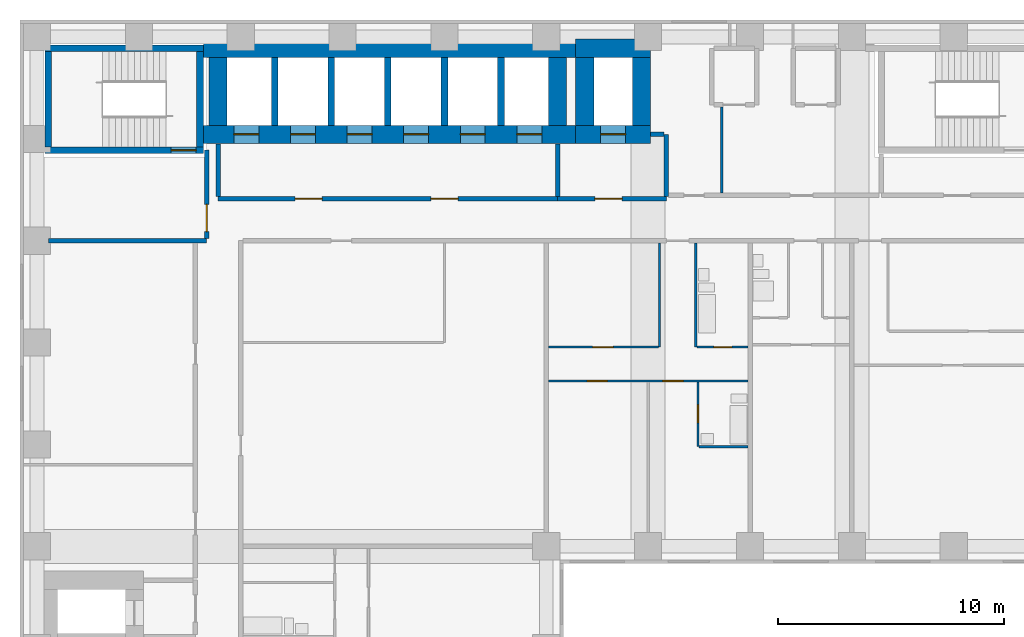
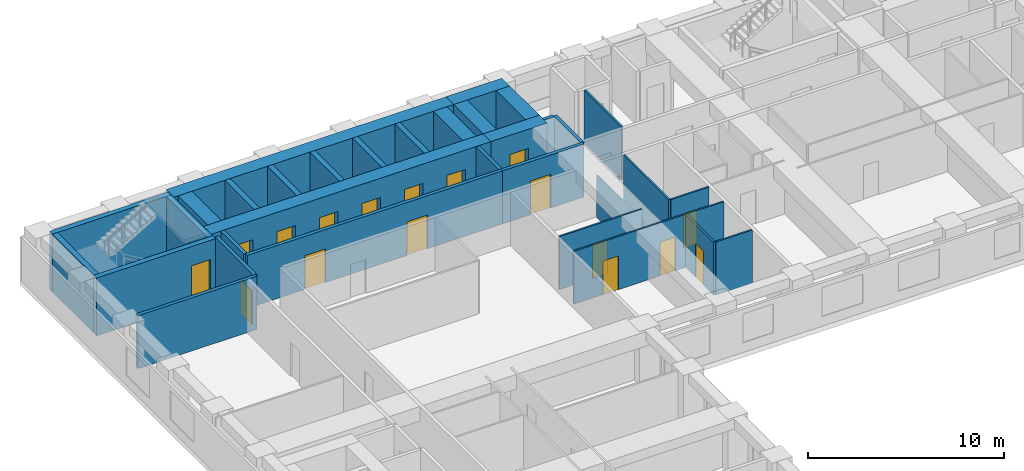
# One storey, part 5 of 11: 33 walls, 17 doors, 17 openings.
"""IFC4 building model written with IfcOpenShell, lengths in metres."""

from ifc_helpers import new_model, si_unit, direction, frame, frame_2d, origin, place, context, subcontext, project, spatial, rectangle, extrude, material, layer, layer_set, type_object, element, fill, save


model = new_model("IFC4")

# Units and contexts
model_context = context("Model", 3, precision=1e-05, world=origin(), true_north=direction((0.0, 1.0)))
body_context = subcontext(model_context, "Body", "Model", "MODEL_VIEW")
ifc_project = project(units=[si_unit("LENGTHUNIT", "METRE"), si_unit("AREAUNIT", "SQUARE_METRE"), si_unit("VOLUMEUNIT", "CUBIC_METRE"), si_unit("PLANEANGLEUNIT", "RADIAN"), si_unit("MASSUNIT", "GRAM", prefix="KILO")], contexts=[model_context])

# Site, building, storey
site_placement = place(None, origin())
site = spatial("IfcSite", under=ifc_project, at=site_placement, CompositionType="ELEMENT")
building_placement = place(site_placement, origin())
building = spatial("IfcBuilding", under=site, at=building_placement, Name="Firuza Court", CompositionType="ELEMENT")
storey_placement = place(building_placement, frame((0.0, 0.0, 79.39990234375)))
storey = spatial("IfcBuildingStorey", under=building, at=storey_placement, Name="L19", CompositionType="ELEMENT", Elevation=79.39990234375)

# Wall, opening, door
ifc_material_1 = material(Name="Moisture-resistant gypsum board partition")
ifc_layer_1 = layer(ifc_material_1, 0.10009765625)
ifc_layer_set_1 = layer_set([ifc_layer_1], Name="Moisture-resistant gypsum board partition")
wall_type_1 = type_object("IfcWallType", Name="Bathroom partition 100", PredefinedType="PLUMBINGWALL", material=ifc_layer_set_1)
wall_1_placement = place(storey_placement, frame((29.199951171875, 40.39990234375, 0.0), z_axis=(0.0, 0.0, 1.0), x_axis=(0.0, 1.0, 0.0)))
wall_1 = element("IfcWall", 1, at=wall_1_placement, inside=storey, type_object=wall_type_1, Name="Bathroom partition 100 L19", PredefinedType="PLUMBINGWALL", context=body_context, shape_type="SweptSolid", body=[
    extrude(rectangle(XDim=2.85009765625, YDim=0.10009765625, at=frame_2d((1.425048828125, 0.0))), origin(), (0.0, 0.0, 1.0), 3.300048828125),
])
opening_1_placement = place(wall_1_placement, frame((1.050048828125, 0.0, 0.0)))
opening_1 = element("IfcOpeningElement", 2, at=opening_1_placement, cuts=wall_1, Name="Opening D19044", PredefinedType="OPENING", context=body_context, shape_type="SweptSolid", body=[
    extrude(rectangle(XDim=0.800048828125, YDim=2.10009765625, at=frame_2d((0.39990234375, 1.050048828125))), frame((0.0, 0.06201171875, 0.0), z_axis=(0.0, -1.0, 0.0), x_axis=(1.0, 0.0, 0.0)), (0.0, 0.0, 1.0), 0.1240234375),
])
ifc_material_2 = material(Name="Timber door leaf in hardwood frame", Category="wood")
door_type_1 = type_object("IfcDoorType", Name="Bathroom door 800", OperationType="SINGLE_SWING_LEFT", PredefinedType="DOOR", material=ifc_material_2)
door_1_placement = place(opening_1_placement, frame((0.800048828125, 0.0, 0.0), z_axis=(0.0, 0.0, 1.0), x_axis=(-1.0, 0.0, 0.0)))
door_1 = element("IfcDoor", 3, at=door_1_placement, inside=storey, type_object=door_type_1, Name="En-suite door", OperationType="SINGLE_SWING_RIGHT", OverallHeight=2.10009765625, OverallWidth=0.800048828125, PredefinedType="DOOR", context=body_context, shape_type="SweptSolid", body=[
    extrude(rectangle(XDim=0.800048828125, YDim=2.10009765625, at=frame_2d((0.39990234375, 1.050048828125))), frame((0.0, 0.02490234375, 0.0), z_axis=(0.0, -1.0, 0.0), x_axis=(1.0, 0.0, 0.0)), (0.0, 0.0, 1.0), 0.050048828125),
])
fill(opening_1, door_1)

# Walls
wall_2_placement = place(storey_placement, frame((29.25, 40.39990234375, 0.0), z_axis=(0.0, 0.0, 1.0), x_axis=(1.0, 0.0, 0.0)))
element("IfcWall", 4, at=wall_2_placement, inside=storey, type_object=wall_type_1, Name="Bathroom partition 100 L19", PredefinedType="PLUMBINGWALL", context=body_context, shape_type="SweptSolid", body=[
    extrude(rectangle(XDim=2.14990234375, YDim=0.10009765625, at=frame_2d((1.074951171875, 0.0))), origin(), (0.0, 0.0, 1.0), 3.300048828125),
])
wall_3_placement = place(storey_placement, frame((29.10009765625, 44.800048828125, 0.0), z_axis=(0.0, 0.0, 1.0), x_axis=(0.0, 1.0, 0.0)))
element("IfcWall", 5, at=wall_3_placement, inside=storey, type_object=wall_type_1, Name="Bathroom partition 100 L19", PredefinedType="PLUMBINGWALL", context=body_context, shape_type="SweptSolid", body=[
    extrude(rectangle(XDim=4.599853515625, YDim=0.10009765625, at=frame_2d((2.2998046875, 0.0))), origin(), (0.0, 0.0, 1.0), 3.300048828125),
])

# Wall, opening, door
ifc_material_3 = material(Name="Concrete C60/75", Category="concrete")
ifc_layer_2 = layer(ifc_material_3, 0.300048828125)
ifc_layer_set_2 = layer_set([ifc_layer_2], Name="Concrete C60/75")
wall_type_2 = type_object("IfcWallType", Name="Core wall 300 C60/75", PredefinedType="SHEAR", material=ifc_layer_set_2)
wall_4_placement = place(storey_placement, frame((0.35009765625, 53.5, -0.2998046875), z_axis=(0.0, 0.0, 1.0), x_axis=(1.0, 0.0, 0.0)))
wall_4 = element("IfcWall", 6, at=wall_4_placement, inside=storey, type_object=wall_type_2, Name="Core wall stair L19", PredefinedType="SHEAR", context=body_context, shape_type="SweptSolid", body=[
    extrude(rectangle(XDim=7.0, YDim=0.300048828125, at=frame_2d((3.5, 0.0))), origin(), (0.0, 0.0, 1.0), 3.599853515625),
])
opening_2_placement = place(wall_4_placement, frame((5.580078125, 0.0, 0.300048828125)))
opening_2 = element("IfcOpeningElement", 7, at=opening_2_placement, cuts=wall_4, Name="Opening D19016", PredefinedType="OPENING", context=body_context, shape_type="SweptSolid", body=[
    extrude(rectangle(XDim=1.10009765625, YDim=2.10009765625, at=frame_2d((0.550048828125, 1.050048828125))), frame((0.0, 0.162109375, 0.0), z_axis=(0.0, -1.0, 0.0), x_axis=(1.0, 0.0, 0.0)), (0.0, 0.0, 1.0), 0.323974609375),
])
ifc_material_4 = material(Name="Timber door leaf in hardwood frame", Category="wood")
door_type_2 = type_object("IfcDoorType", Name="Stair door 1100", OperationType="SINGLE_SWING_LEFT", PredefinedType="DOOR", material=ifc_material_4)
door_2_placement = place(opening_2_placement, origin())
door_2 = element("IfcDoor", 8, at=door_2_placement, inside=storey, type_object=door_type_2, Name="Stair door S3", OperationType="SINGLE_SWING_RIGHT", OverallHeight=2.10009765625, OverallWidth=1.10009765625, PredefinedType="DOOR", context=body_context, shape_type="SweptSolid", body=[
    extrude(rectangle(XDim=1.10009765625, YDim=2.10009765625, at=frame_2d((0.550048828125, 1.050048828125))), frame((0.0, 0.02490234375, 0.0), z_axis=(0.0, -1.0, 0.0), x_axis=(1.0, 0.0, 0.0)), (0.0, 0.0, 1.0), 0.050048828125),
])
fill(opening_2, door_2)

# Walls
wall_5_placement = place(storey_placement, frame((0.35009765625, 58.0, -0.2998046875), z_axis=(0.0, 0.0, 1.0), x_axis=(1.0, 0.0, 0.0)))
element("IfcWall", 9, at=wall_5_placement, inside=storey, type_object=wall_type_2, Name="Core wall stair L19", PredefinedType="SHEAR", context=body_context, shape_type="SweptSolid", body=[
    extrude(rectangle(XDim=7.0, YDim=0.300048828125, at=frame_2d((3.5, 0.0))), origin(), (0.0, 0.0, 1.0), 3.599853515625),
])
for number, where, z_axis, x_axis, name in (
    (10, (0.5, 53.64990234375, -0.2998046875), (0.0, 0.0, 1.0), (0.0, 1.0, 0.0), "Core wall stair L19"),
    (11, (7.199951171875, 53.64990234375, -0.2998046875), (0.0, 0.0, 1.0), (0.0, 1.0, 0.0), "Core wall stair L19"),
):
    element("IfcWall", number, at=place(storey_placement, frame(where, z_axis=z_axis, x_axis=x_axis)), inside=storey, type_object=wall_type_2, Name=name, PredefinedType="SHEAR", context=body_context, shape_type="SweptSolid", body=[
        extrude(rectangle(XDim=4.2001953125, YDim=0.300048828125, at=frame_2d((2.10009765625, 0.0))), origin(), (0.0, 0.0, 1.0), 3.599853515625),
    ])
for number, where, z_axis, x_axis, name in (
    (12, (10.5, 54.60009765625, -0.2998046875), (0.0, 0.0, 1.0), (0.0, 1.0, 0.0), "Core wall lift shaft L19"),
    (13, (13.0, 54.60009765625, -0.2998046875), (0.0, 0.0, 1.0), (0.0, 1.0, 0.0), "Core wall lift shaft L19"),
    (14, (15.5, 54.60009765625, -0.2998046875), (0.0, 0.0, 1.0), (0.0, 1.0, 0.0), "Core wall lift shaft L19"),
    (15, (18.0, 54.60009765625, -0.2998046875), (0.0, 0.0, 1.0), (0.0, 1.0, 0.0), "Core wall lift shaft L19"),
    (16, (20.5, 54.60009765625, -0.2998046875), (0.0, 0.0, 1.0), (0.0, 1.0, 0.0), "Core wall lift shaft L19"),
):
    element("IfcWall", number, at=place(storey_placement, frame(where, z_axis=z_axis, x_axis=x_axis)), inside=storey, type_object=wall_type_2, Name=name, PredefinedType="SHEAR", context=body_context, shape_type="SweptSolid", body=[
        extrude(rectangle(XDim=3.0, YDim=0.300048828125, at=frame_2d((1.5, 0.0))), origin(), (0.0, 0.0, 1.0), 3.599853515625),
    ])

# Wall, openings, doors
ifc_layer_3 = layer(ifc_material_3, 0.800048828125)
ifc_layer_set_3 = layer_set([ifc_layer_3], Name="Concrete C60/75")
wall_type_3 = type_object("IfcWallType", Name="Core wall 800 C60/75", PredefinedType="SHEAR", material=ifc_layer_set_3)
wall_6_placement = place(storey_placement, frame((7.35009765625, 54.199951171875, -0.2998046875), z_axis=(0.0, 0.0, 1.0), x_axis=(1.0, 0.0, 0.0)))
wall_6 = element("IfcWall", 17, at=wall_6_placement, inside=storey, type_object=wall_type_3, Name="Core wall lift shaft L19", PredefinedType="SHEAR", context=body_context, shape_type="SweptSolid", body=[
    extrude(rectangle(XDim=16.449951171875, YDim=0.800048828125, at=frame_2d((8.22509765625, 0.0))), origin(), (0.0, 0.0, 1.0), 3.599853515625),
])
opening_3_placement = place(wall_6_placement, frame((1.35009765625, 0.0, 0.300048828125)))
opening_3 = element("IfcOpeningElement", 18, at=opening_3_placement, cuts=wall_6, Name="Opening LD-LB1-19", PredefinedType="OPENING", context=body_context, shape_type="SweptSolid", body=[
    extrude(rectangle(XDim=1.10009765625, YDim=2.10009765625, at=frame_2d((0.550048828125, 1.050048828125))), frame((0.0, 0.412109375, 0.0), z_axis=(0.0, -1.0, 0.0), x_axis=(1.0, 0.0, 0.0)), (0.0, 0.0, 1.0), 0.823974609375),
])
opening_4_placement = place(wall_6_placement, frame((3.85009765625, 0.0, 0.300048828125)))
opening_4 = element("IfcOpeningElement", 19, at=opening_4_placement, cuts=wall_6, Name="Opening LD-LB2-19", PredefinedType="OPENING", context=body_context, shape_type="SweptSolid", body=[
    extrude(rectangle(XDim=1.10009765625, YDim=2.10009765625, at=frame_2d((0.550048828125, 1.050048828125))), frame((0.0, 0.412109375, 0.0), z_axis=(0.0, -1.0, 0.0), x_axis=(1.0, 0.0, 0.0)), (0.0, 0.0, 1.0), 0.823974609375),
])
opening_5_placement = place(wall_6_placement, frame((6.35009765625, 0.0, 0.300048828125)))
opening_5 = element("IfcOpeningElement", 20, at=opening_5_placement, cuts=wall_6, Name="Opening LD-LB3-19", PredefinedType="OPENING", context=body_context, shape_type="SweptSolid", body=[
    extrude(rectangle(XDim=1.10009765625, YDim=2.10009765625, at=frame_2d((0.550048828125, 1.050048828125))), frame((0.0, 0.412109375, 0.0), z_axis=(0.0, -1.0, 0.0), x_axis=(1.0, 0.0, 0.0)), (0.0, 0.0, 1.0), 0.823974609375),
])
opening_6_placement = place(wall_6_placement, frame((8.85009765625, 0.0, 0.300048828125)))
opening_6 = element("IfcOpeningElement", 21, at=opening_6_placement, cuts=wall_6, Name="Opening LD-LB4-19", PredefinedType="OPENING", context=body_context, shape_type="SweptSolid", body=[
    extrude(rectangle(XDim=1.10009765625, YDim=2.10009765625, at=frame_2d((0.550048828125, 1.050048828125))), frame((0.0, 0.412109375, 0.0), z_axis=(0.0, -1.0, 0.0), x_axis=(1.0, 0.0, 0.0)), (0.0, 0.0, 1.0), 0.823974609375),
])
opening_7_placement = place(wall_6_placement, frame((11.35009765625, 0.0, 0.300048828125)))
opening_7 = element("IfcOpeningElement", 22, at=opening_7_placement, cuts=wall_6, Name="Opening LD-LB5-19", PredefinedType="OPENING", context=body_context, shape_type="SweptSolid", body=[
    extrude(rectangle(XDim=1.10009765625, YDim=2.10009765625, at=frame_2d((0.550048828125, 1.050048828125))), frame((0.0, 0.412109375, 0.0), z_axis=(0.0, -1.0, 0.0), x_axis=(1.0, 0.0, 0.0)), (0.0, 0.0, 1.0), 0.823974609375),
])
opening_8_placement = place(wall_6_placement, frame((13.85009765625, 0.0, 0.300048828125)))
opening_8 = element("IfcOpeningElement", 23, at=opening_8_placement, cuts=wall_6, Name="Opening LD-LB6-19", PredefinedType="OPENING", context=body_context, shape_type="SweptSolid", body=[
    extrude(rectangle(XDim=1.10009765625, YDim=2.10009765625, at=frame_2d((0.550048828125, 1.050048828125))), frame((0.0, 0.412109375, 0.0), z_axis=(0.0, -1.0, 0.0), x_axis=(1.0, 0.0, 0.0)), (0.0, 0.0, 1.0), 0.823974609375),
])
ifc_material_5 = material(Name="Stainless steel 1.4301 door leaf", Category="steel")
door_type_3 = type_object("IfcDoorType", Name="Lift landing door 1100", OperationType="SLIDING_TO_LEFT", PredefinedType="DOOR", material=ifc_material_5)
door_3_placement = place(opening_3_placement, origin())
door_3 = element("IfcDoor", 24, at=door_3_placement, inside=storey, type_object=door_type_3, Name="Landing door LB1", OperationType="SLIDING_TO_LEFT", OverallHeight=2.10009765625, OverallWidth=1.10009765625, PredefinedType="DOOR", context=body_context, shape_type="SweptSolid", body=[
    extrude(rectangle(XDim=1.10009765625, YDim=2.10009765625, at=frame_2d((0.550048828125, 1.050048828125))), frame((0.0, 0.02490234375, 0.0), z_axis=(0.0, -1.0, 0.0), x_axis=(1.0, 0.0, 0.0)), (0.0, 0.0, 1.0), 0.050048828125),
])
fill(opening_3, door_3)
door_4_placement = place(opening_4_placement, origin())
door_4 = element("IfcDoor", 25, at=door_4_placement, inside=storey, type_object=door_type_3, Name="Landing door LB2", OperationType="SLIDING_TO_LEFT", OverallHeight=2.10009765625, OverallWidth=1.10009765625, PredefinedType="DOOR", context=body_context, shape_type="SweptSolid", body=[
    extrude(rectangle(XDim=1.10009765625, YDim=2.10009765625, at=frame_2d((0.550048828125, 1.050048828125))), frame((0.0, 0.02490234375, 0.0), z_axis=(0.0, -1.0, 0.0), x_axis=(1.0, 0.0, 0.0)), (0.0, 0.0, 1.0), 0.050048828125),
])
fill(opening_4, door_4)
door_5_placement = place(opening_5_placement, origin())
door_5 = element("IfcDoor", 26, at=door_5_placement, inside=storey, type_object=door_type_3, Name="Landing door LB3", OperationType="SLIDING_TO_LEFT", OverallHeight=2.10009765625, OverallWidth=1.10009765625, PredefinedType="DOOR", context=body_context, shape_type="SweptSolid", body=[
    extrude(rectangle(XDim=1.10009765625, YDim=2.10009765625, at=frame_2d((0.550048828125, 1.050048828125))), frame((0.0, 0.02490234375, 0.0), z_axis=(0.0, -1.0, 0.0), x_axis=(1.0, 0.0, 0.0)), (0.0, 0.0, 1.0), 0.050048828125),
])
fill(opening_5, door_5)
door_6_placement = place(opening_6_placement, origin())
door_6 = element("IfcDoor", 27, at=door_6_placement, inside=storey, type_object=door_type_3, Name="Landing door LB4", OperationType="SLIDING_TO_LEFT", OverallHeight=2.10009765625, OverallWidth=1.10009765625, PredefinedType="DOOR", context=body_context, shape_type="SweptSolid", body=[
    extrude(rectangle(XDim=1.10009765625, YDim=2.10009765625, at=frame_2d((0.550048828125, 1.050048828125))), frame((0.0, 0.02490234375, 0.0), z_axis=(0.0, -1.0, 0.0), x_axis=(1.0, 0.0, 0.0)), (0.0, 0.0, 1.0), 0.050048828125),
])
fill(opening_6, door_6)
door_7_placement = place(opening_7_placement, origin())
door_7 = element("IfcDoor", 28, at=door_7_placement, inside=storey, type_object=door_type_3, Name="Landing door LB5", OperationType="SLIDING_TO_LEFT", OverallHeight=2.10009765625, OverallWidth=1.10009765625, PredefinedType="DOOR", context=body_context, shape_type="SweptSolid", body=[
    extrude(rectangle(XDim=1.10009765625, YDim=2.10009765625, at=frame_2d((0.550048828125, 1.050048828125))), frame((0.0, 0.02490234375, 0.0), z_axis=(0.0, -1.0, 0.0), x_axis=(1.0, 0.0, 0.0)), (0.0, 0.0, 1.0), 0.050048828125),
])
fill(opening_7, door_7)
door_8_placement = place(opening_8_placement, origin())
door_8 = element("IfcDoor", 29, at=door_8_placement, inside=storey, type_object=door_type_3, Name="Landing door LB6", OperationType="SLIDING_TO_LEFT", OverallHeight=2.10009765625, OverallWidth=1.10009765625, PredefinedType="DOOR", context=body_context, shape_type="SweptSolid", body=[
    extrude(rectangle(XDim=1.10009765625, YDim=2.10009765625, at=frame_2d((0.550048828125, 1.050048828125))), frame((0.0, 0.02490234375, 0.0), z_axis=(0.0, -1.0, 0.0), x_axis=(1.0, 0.0, 0.0)), (0.0, 0.0, 1.0), 0.050048828125),
])
fill(opening_8, door_8)

# Walls
wall_7_placement = place(storey_placement, frame((7.35009765625, 58.0, -0.2998046875), z_axis=(0.0, 0.0, 1.0), x_axis=(1.0, 0.0, 0.0)))
element("IfcWall", 30, at=wall_7_placement, inside=storey, type_object=wall_type_3, Name="Core wall lift shaft L19", PredefinedType="SHEAR", context=body_context, shape_type="SweptSolid", body=[
    extrude(rectangle(XDim=16.449951171875, YDim=0.800048828125, at=frame_2d((8.22509765625, 0.0))), origin(), (0.0, 0.0, 1.0), 3.599853515625),
])
for number, where, z_axis, x_axis, name in (
    (31, (8.0, 54.60009765625, -0.2998046875), (0.0, 0.0, 1.0), (0.0, 1.0, 0.0), "Core wall lift shaft L19"),
    (32, (23.0, 54.60009765625, -0.2998046875), (0.0, 0.0, 1.0), (0.0, 1.0, 0.0), "Core wall lift shaft L19"),
):
    element("IfcWall", number, at=place(storey_placement, frame(where, z_axis=z_axis, x_axis=x_axis)), inside=storey, type_object=wall_type_3, Name=name, PredefinedType="SHEAR", context=body_context, shape_type="SweptSolid", body=[
        extrude(rectangle(XDim=3.0, YDim=0.800048828125, at=frame_2d((1.5, 0.0))), origin(), (0.0, 0.0, 1.0), 3.599853515625),
    ])

# Wall, opening, door
wall_8_placement = place(storey_placement, frame((23.800048828125, 54.199951171875, -0.2998046875), z_axis=(0.0, 0.0, 1.0), x_axis=(1.0, 0.0, 0.0)))
wall_8 = element("IfcWall", 33, at=wall_8_placement, inside=storey, type_object=wall_type_3, Name="Core wall lift shaft L19", PredefinedType="SHEAR", context=body_context, shape_type="SweptSolid", body=[
    extrude(rectangle(XDim=3.300048828125, YDim=0.800048828125, at=frame_2d((1.64990234375, 0.0))), origin(), (0.0, 0.0, 1.0), 3.599853515625),
])
opening_9_placement = place(wall_8_placement, frame((1.10009765625, 0.0, 0.300048828125)))
opening_9 = element("IfcOpeningElement", 34, at=opening_9_placement, cuts=wall_8, Name="Opening LD-FL3-19", PredefinedType="OPENING", context=body_context, shape_type="SweptSolid", body=[
    extrude(rectangle(XDim=1.10009765625, YDim=2.10009765625, at=frame_2d((0.550048828125, 1.050048828125))), frame((0.0, 0.412109375, 0.0), z_axis=(0.0, -1.0, 0.0), x_axis=(1.0, 0.0, 0.0)), (0.0, 0.0, 1.0), 0.823974609375),
])
door_9_placement = place(opening_9_placement, origin())
door_9 = element("IfcDoor", 35, at=door_9_placement, inside=storey, type_object=door_type_3, Name="Landing door FL3", OperationType="SLIDING_TO_LEFT", OverallHeight=2.10009765625, OverallWidth=1.10009765625, PredefinedType="DOOR", context=body_context, shape_type="SweptSolid", body=[
    extrude(rectangle(XDim=1.10009765625, YDim=2.10009765625, at=frame_2d((0.550048828125, 1.050048828125))), frame((0.0, 0.02490234375, 0.0), z_axis=(0.0, -1.0, 0.0), x_axis=(1.0, 0.0, 0.0)), (0.0, 0.0, 1.0), 0.050048828125),
])
fill(opening_9, door_9)

# Walls
wall_9_placement = place(storey_placement, frame((23.800048828125, 58.0, -0.2998046875), z_axis=(0.0, 0.0, 1.0), x_axis=(1.0, 0.0, 0.0)))
element("IfcWall", 36, at=wall_9_placement, inside=storey, type_object=wall_type_3, Name="Core wall lift shaft L19", PredefinedType="SHEAR", context=body_context, shape_type="SweptSolid", body=[
    extrude(rectangle(XDim=3.300048828125, YDim=0.800048828125, at=frame_2d((1.64990234375, 0.0))), origin(), (0.0, 0.0, 1.0), 3.599853515625),
])
for number, where, z_axis, x_axis, name in (
    (37, (24.199951171875, 54.60009765625, -0.2998046875), (0.0, 0.0, 1.0), (0.0, 1.0, 0.0), "Core wall lift shaft L19"),
    (38, (26.699951171875, 54.60009765625, -0.2998046875), (0.0, 0.0, 1.0), (0.0, 1.0, 0.0), "Core wall lift shaft L19"),
):
    element("IfcWall", number, at=place(storey_placement, frame(where, z_axis=z_axis, x_axis=x_axis)), inside=storey, type_object=wall_type_3, Name=name, PredefinedType="SHEAR", context=body_context, shape_type="SweptSolid", body=[
        extrude(rectangle(XDim=3.0, YDim=0.800048828125, at=frame_2d((1.5, 0.0))), origin(), (0.0, 0.0, 1.0), 3.599853515625),
    ])

# Wall, openings, doors
ifc_material_6 = material(Name="Timber stud partition, plasterboard both sides", Category="wood")
ifc_layer_4 = layer(ifc_material_6, 0.10009765625)
ifc_layer_set_4 = layer_set([ifc_layer_4], Name="Timber stud partition, plasterboard both sides")
wall_type_4 = type_object("IfcWallType", Name="Partition wall 100", PredefinedType="PARTITIONING", material=ifc_layer_set_4)
wall_10_placement = place(storey_placement, frame((22.60009765625, 43.300048828125, 0.0), z_axis=(0.0, 0.0, 1.0), x_axis=(1.0, 0.0, 0.0)))
wall_10 = element("IfcWall", 39, at=wall_10_placement, inside=storey, type_object=wall_type_4, Name="Partition wall 100 L19", PredefinedType="PARTITIONING", context=body_context, shape_type="SweptSolid", body=[
    extrude(rectangle(XDim=8.7998046875, YDim=0.10009765625, at=frame_2d((4.39990234375, 0.0))), origin(), (0.0, 0.0, 1.0), 3.300048828125),
])
opening_10_placement = place(wall_10_placement, frame((1.699951171875, 0.0, 0.0)))
opening_10 = element("IfcOpeningElement", 40, at=opening_10_placement, cuts=wall_10, Name="Opening D19049", PredefinedType="OPENING", context=body_context, shape_type="SweptSolid", body=[
    extrude(rectangle(XDim=0.89990234375, YDim=2.10009765625, at=frame_2d((0.449951171875, 1.050048828125))), frame((0.0, 0.06201171875, 0.0), z_axis=(0.0, -1.0, 0.0), x_axis=(1.0, 0.0, 0.0)), (0.0, 0.0, 1.0), 0.1240234375),
])
opening_11_placement = place(wall_10_placement, frame((5.050048828125, 0.0, 0.0)))
opening_11 = element("IfcOpeningElement", 41, at=opening_11_placement, cuts=wall_10, Name="Opening D19050", PredefinedType="OPENING", context=body_context, shape_type="SweptSolid", body=[
    extrude(rectangle(XDim=0.89990234375, YDim=2.10009765625, at=frame_2d((0.449951171875, 1.050048828125))), frame((0.0, 0.06201171875, 0.0), z_axis=(0.0, -1.0, 0.0), x_axis=(1.0, 0.0, 0.0)), (0.0, 0.0, 1.0), 0.1240234375),
])
ifc_material_7 = material(Name="Timber door leaf in hardwood frame", Category="wood")
door_type_4 = type_object("IfcDoorType", Name="Room door 900", OperationType="SINGLE_SWING_LEFT", PredefinedType="DOOR", material=ifc_material_7)
door_10_placement = place(opening_10_placement, frame((0.89990234375, 0.0, 0.0), z_axis=(0.0, 0.0, 1.0), x_axis=(-1.0, 0.0, 0.0)))
door_10 = element("IfcDoor", 42, at=door_10_placement, inside=storey, type_object=door_type_4, Name="Living room door", OperationType="SINGLE_SWING_RIGHT", OverallHeight=2.10009765625, OverallWidth=0.89990234375, PredefinedType="DOOR", context=body_context, shape_type="SweptSolid", body=[
    extrude(rectangle(XDim=0.89990234375, YDim=2.10009765625, at=frame_2d((0.449951171875, 1.050048828125))), frame((0.0, 0.02490234375, 0.0), z_axis=(0.0, -1.0, 0.0), x_axis=(1.0, 0.0, 0.0)), (0.0, 0.0, 1.0), 0.050048828125),
])
fill(opening_10, door_10)
door_11_placement = place(opening_11_placement, frame((0.89990234375, 0.0, 0.0), z_axis=(0.0, 0.0, 1.0), x_axis=(-1.0, 0.0, 0.0)))
door_11 = element("IfcDoor", 43, at=door_11_placement, inside=storey, type_object=door_type_4, Name="Bedroom door", OperationType="SINGLE_SWING_RIGHT", OverallHeight=2.10009765625, OverallWidth=0.89990234375, PredefinedType="DOOR", context=body_context, shape_type="SweptSolid", body=[
    extrude(rectangle(XDim=0.89990234375, YDim=2.10009765625, at=frame_2d((0.449951171875, 1.050048828125))), frame((0.0, 0.02490234375, 0.0), z_axis=(0.0, -1.0, 0.0), x_axis=(1.0, 0.0, 0.0)), (0.0, 0.0, 1.0), 0.050048828125),
])
fill(opening_11, door_11)

# Wall, opening, door
wall_11_placement = place(storey_placement, frame((22.60009765625, 44.800048828125, 0.0), z_axis=(0.0, 0.0, 1.0), x_axis=(1.0, 0.0, 0.0)))
wall_11 = element("IfcWall", 44, at=wall_11_placement, inside=storey, type_object=wall_type_4, Name="Partition wall 100 L19", PredefinedType="PARTITIONING", context=body_context, shape_type="SweptSolid", body=[
    extrude(rectangle(XDim=4.849853515625, YDim=0.10009765625, at=frame_2d((2.4248046875, 0.0))), origin(), (0.0, 0.0, 1.0), 3.300048828125),
])
opening_12_placement = place(wall_11_placement, frame((1.949951171875, 0.0, 0.0)))
opening_12 = element("IfcOpeningElement", 45, at=opening_12_placement, cuts=wall_11, Name="Opening D19058", PredefinedType="OPENING", context=body_context, shape_type="SweptSolid", body=[
    extrude(rectangle(XDim=0.89990234375, YDim=2.10009765625, at=frame_2d((0.449951171875, 1.050048828125))), frame((0.0, 0.06201171875, 0.0), z_axis=(0.0, -1.0, 0.0), x_axis=(1.0, 0.0, 0.0)), (0.0, 0.0, 1.0), 0.1240234375),
])
door_12_placement = place(opening_12_placement, origin())
door_12 = element("IfcDoor", 46, at=door_12_placement, inside=storey, type_object=door_type_4, Name="Kitchen door", OperationType="SINGLE_SWING_LEFT", OverallHeight=2.10009765625, OverallWidth=0.89990234375, PredefinedType="DOOR", context=body_context, shape_type="SweptSolid", body=[
    extrude(rectangle(XDim=0.89990234375, YDim=2.10009765625, at=frame_2d((0.449951171875, 1.050048828125))), frame((0.0, 0.02490234375, 0.0), z_axis=(0.0, -1.0, 0.0), x_axis=(1.0, 0.0, 0.0)), (0.0, 0.0, 1.0), 0.050048828125),
])
fill(opening_12, door_12)

# Wall
wall_12_placement = place(storey_placement, frame((27.5, 44.800048828125, 0.0), z_axis=(0.0, 0.0, 1.0), x_axis=(0.0, 1.0, 0.0)))
element("IfcWall", 47, at=wall_12_placement, inside=storey, type_object=wall_type_4, Name="Partition wall 100 L19", PredefinedType="PARTITIONING", context=body_context, shape_type="SweptSolid", body=[
    extrude(rectangle(XDim=4.599853515625, YDim=0.10009765625, at=frame_2d((2.2998046875, 0.0))), origin(), (0.0, 0.0, 1.0), 2.60009765625),
])

# Wall, opening, door
wall_13_placement = place(storey_placement, frame((29.14990234375, 44.800048828125, 0.0), z_axis=(0.0, 0.0, 1.0), x_axis=(1.0, 0.0, 0.0)))
wall_13 = element("IfcWall", 48, at=wall_13_placement, inside=storey, type_object=wall_type_4, Name="Partition wall 100 L19", PredefinedType="PARTITIONING", context=body_context, shape_type="SweptSolid", body=[
    extrude(rectangle(XDim=2.25, YDim=0.10009765625, at=frame_2d((1.125, 0.0))), origin(), (0.0, 0.0, 1.0), 3.300048828125),
])
opening_13_placement = place(wall_13_placement, frame((0.75, 0.0, 0.0)))
opening_13 = element("IfcOpeningElement", 49, at=opening_13_placement, cuts=wall_13, Name="Opening D19059", PredefinedType="OPENING", context=body_context, shape_type="SweptSolid", body=[
    extrude(rectangle(XDim=0.800048828125, YDim=2.10009765625, at=frame_2d((0.39990234375, 1.050048828125))), frame((0.0, 0.06201171875, 0.0), z_axis=(0.0, -1.0, 0.0), x_axis=(1.0, 0.0, 0.0)), (0.0, 0.0, 1.0), 0.1240234375),
])
door_13_placement = place(opening_13_placement, origin())
door_13 = element("IfcDoor", 50, at=door_13_placement, inside=storey, type_object=door_type_1, Name="Bathroom door", OperationType="SINGLE_SWING_LEFT", OverallHeight=2.10009765625, OverallWidth=0.800048828125, PredefinedType="DOOR", context=body_context, shape_type="SweptSolid", body=[
    extrude(rectangle(XDim=0.800048828125, YDim=2.10009765625, at=frame_2d((0.39990234375, 1.050048828125))), frame((0.0, 0.02490234375, 0.0), z_axis=(0.0, -1.0, 0.0), x_axis=(1.0, 0.0, 0.0)), (0.0, 0.0, 1.0), 0.050048828125),
])
fill(opening_13, door_13)

# Wall
wall_14_placement = place(storey_placement, frame((30.25, 51.60009765625, 0.0), z_axis=(0.0, 0.0, 1.0), x_axis=(0.0, 1.0, 0.0)))
element("IfcWall", 51, at=wall_14_placement, inside=storey, type_object=wall_type_4, Name="Partition wall 100 L19", PredefinedType="PARTITIONING", context=body_context, shape_type="SweptSolid", body=[
    extrude(rectangle(XDim=3.7998046875, YDim=0.10009765625, at=frame_2d((1.89990234375, 0.0))), origin(), (0.0, 0.0, 1.0), 3.300048828125),
])

# Wall, openings, doors
ifc_material_8 = material(Name="Blockwork, fire-rated", Category="masonry")
ifc_layer_5 = layer(ifc_material_8, 0.199951171875)
ifc_layer_set_5 = layer_set([ifc_layer_5], Name="Blockwork, fire-rated")
wall_type_5 = type_object("IfcWallType", Name="Shaft wall 200", PredefinedType="PARTITIONING", material=ifc_layer_set_5)
wall_15_placement = place(storey_placement, frame((8.0, 51.35009765625, 0.0), z_axis=(0.0, 0.0, 1.0), x_axis=(1.0, 0.0, 0.0)))
wall_15 = element("IfcWall", 52, at=wall_15_placement, inside=storey, type_object=wall_type_5, Name="Shaft wall 200 L19", PredefinedType="PARTITIONING", context=body_context, shape_type="SweptSolid", body=[
    extrude(rectangle(XDim=15.0, YDim=0.199951171875, at=frame_2d((7.5, 0.0))), origin(), (0.0, 0.0, 1.0), 3.300048828125),
])
opening_14_placement = place(wall_15_placement, frame((3.39990234375, 0.0, 0.0)))
opening_14 = element("IfcOpeningElement", 53, at=opening_14_placement, cuts=wall_15, Name="Opening D19004", PredefinedType="OPENING", context=body_context, shape_type="SweptSolid", body=[
    extrude(rectangle(XDim=1.199951171875, YDim=2.10009765625, at=frame_2d((0.60009765625, 1.050048828125))), frame((0.0, 0.11181640625, 0.0), z_axis=(0.0, -1.0, 0.0), x_axis=(1.0, 0.0, 0.0)), (0.0, 0.0, 1.0), 0.223876953125),
])
opening_15_placement = place(wall_15_placement, frame((9.39990234375, 0.0, 0.0)))
opening_15 = element("IfcOpeningElement", 54, at=opening_15_placement, cuts=wall_15, Name="Opening D19005", PredefinedType="OPENING", context=body_context, shape_type="SweptSolid", body=[
    extrude(rectangle(XDim=1.199951171875, YDim=2.10009765625, at=frame_2d((0.60009765625, 1.050048828125))), frame((0.0, 0.11181640625, 0.0), z_axis=(0.0, -1.0, 0.0), x_axis=(1.0, 0.0, 0.0)), (0.0, 0.0, 1.0), 0.223876953125),
])
ifc_material_9 = material(Name="Timber door leaf in hardwood frame", Category="wood")
door_type_5 = type_object("IfcDoorType", Name="Lobby door 1200", OperationType="SINGLE_SWING_LEFT", PredefinedType="DOOR", material=ifc_material_9)
door_14_placement = place(opening_14_placement, origin())
door_14 = element("IfcDoor", 55, at=door_14_placement, inside=storey, type_object=door_type_5, Name="Lobby door", OperationType="SINGLE_SWING_LEFT", OverallHeight=2.10009765625, OverallWidth=1.199951171875, PredefinedType="DOOR", context=body_context, shape_type="SweptSolid", body=[
    extrude(rectangle(XDim=1.199951171875, YDim=2.10009765625, at=frame_2d((0.60009765625, 1.050048828125))), frame((0.0, 0.02490234375, 0.0), z_axis=(0.0, -1.0, 0.0), x_axis=(1.0, 0.0, 0.0)), (0.0, 0.0, 1.0), 0.050048828125),
])
fill(opening_14, door_14)
door_15_placement = place(opening_15_placement, origin())
door_15 = element("IfcDoor", 56, at=door_15_placement, inside=storey, type_object=door_type_5, Name="Lobby door", OperationType="SINGLE_SWING_RIGHT", OverallHeight=2.10009765625, OverallWidth=1.199951171875, PredefinedType="DOOR", context=body_context, shape_type="SweptSolid", body=[
    extrude(rectangle(XDim=1.199951171875, YDim=2.10009765625, at=frame_2d((0.60009765625, 1.050048828125))), frame((0.0, 0.02490234375, 0.0), z_axis=(0.0, -1.0, 0.0), x_axis=(1.0, 0.0, 0.0)), (0.0, 0.0, 1.0), 0.050048828125),
])
fill(opening_15, door_15)

# Walls
for number, where, z_axis, x_axis, name in (
    (57, (23.0, 51.449951171875, 0.0), (0.0, 0.0, 1.0), (0.0, 1.0, 0.0), "Shaft wall 200 L19"),
    (58, (8.0, 51.449951171875, 0.0), (0.0, 0.0, 1.0), (0.0, 1.0, 0.0), "Shaft wall 200 L19"),
):
    element("IfcWall", number, at=place(storey_placement, frame(where, z_axis=z_axis, x_axis=x_axis)), inside=storey, type_object=wall_type_5, Name=name, PredefinedType="PARTITIONING", context=body_context, shape_type="SweptSolid", body=[
        extrude(rectangle(XDim=2.330078125, YDim=0.199951171875, at=frame_2d((1.1650390625, 0.0))), origin(), (0.0, 0.0, 1.0), 3.300048828125),
    ])

# Wall, opening, door
wall_16_placement = place(storey_placement, frame((23.0, 51.35009765625, 0.0), z_axis=(0.0, 0.0, 1.0), x_axis=(1.0, 0.0, 0.0)))
wall_16 = element("IfcWall", 59, at=wall_16_placement, inside=storey, type_object=wall_type_5, Name="Shaft wall 200 L19", PredefinedType="PARTITIONING", context=body_context, shape_type="SweptSolid", body=[
    extrude(rectangle(XDim=4.800048828125, YDim=0.199951171875, at=frame_2d((2.39990234375, 0.0))), origin(), (0.0, 0.0, 1.0), 3.300048828125),
])
opening_16_placement = place(wall_16_placement, frame((1.64990234375, 0.0, 0.0)))
opening_16 = element("IfcOpeningElement", 60, at=opening_16_placement, cuts=wall_16, Name="Opening D19003", PredefinedType="OPENING", context=body_context, shape_type="SweptSolid", body=[
    extrude(rectangle(XDim=1.199951171875, YDim=2.10009765625, at=frame_2d((0.60009765625, 1.050048828125))), frame((0.0, 0.11181640625, 0.0), z_axis=(0.0, -1.0, 0.0), x_axis=(1.0, 0.0, 0.0)), (0.0, 0.0, 1.0), 0.223876953125),
])
door_16_placement = place(opening_16_placement, origin())
door_16 = element("IfcDoor", 61, at=door_16_placement, inside=storey, type_object=door_type_5, Name="Fire-fighting lobby door", OperationType="SINGLE_SWING_LEFT", OverallHeight=2.10009765625, OverallWidth=1.199951171875, PredefinedType="DOOR", context=body_context, shape_type="SweptSolid", body=[
    extrude(rectangle(XDim=1.199951171875, YDim=2.10009765625, at=frame_2d((0.60009765625, 1.050048828125))), frame((0.0, 0.02490234375, 0.0), z_axis=(0.0, -1.0, 0.0), x_axis=(1.0, 0.0, 0.0)), (0.0, 0.0, 1.0), 0.050048828125),
])
fill(opening_16, door_16)

# Walls
wall_17_placement = place(storey_placement, frame((27.800048828125, 51.449951171875, 0.0), z_axis=(0.0, 0.0, 1.0), x_axis=(0.0, 1.0, 0.0)))
element("IfcWall", 62, at=wall_17_placement, inside=storey, type_object=wall_type_5, Name="Shaft wall 200 L19", PredefinedType="PARTITIONING", context=body_context, shape_type="SweptSolid", body=[
    extrude(rectangle(XDim=2.75, YDim=0.199951171875, at=frame_2d((1.375, 0.0))), origin(), (0.0, 0.0, 1.0), 3.300048828125),
])
wall_18_placement = place(storey_placement, frame((27.10009765625, 54.199951171875, 0.0), z_axis=(0.0, 0.0, 1.0), x_axis=(1.0, 0.0, 0.0)))
element("IfcWall", 63, at=wall_18_placement, inside=storey, type_object=wall_type_5, Name="Shaft wall 200 L19", PredefinedType="PARTITIONING", context=body_context, shape_type="SweptSolid", body=[
    extrude(rectangle(XDim=0.599853515625, YDim=0.199951171875, at=frame_2d((0.2998046875, 0.0))), origin(), (0.0, 0.0, 1.0), 3.300048828125),
])
wall_19_placement = place(storey_placement, frame((0.5, 49.5, 0.0), z_axis=(0.0, 0.0, 1.0), x_axis=(1.0, 0.0, 0.0)))
element("IfcWall", 64, at=wall_19_placement, inside=storey, type_object=wall_type_5, Name="Shaft wall 200 L19", PredefinedType="PARTITIONING", context=body_context, shape_type="SweptSolid", body=[
    extrude(rectangle(XDim=7.0, YDim=0.199951171875, at=frame_2d((3.5, 0.0))), origin(), (0.0, 0.0, 1.0), 3.300048828125),
])

# Wall, opening, door
wall_20_placement = place(storey_placement, frame((7.5, 49.60009765625, 0.0), z_axis=(0.0, 0.0, 1.0), x_axis=(0.0, 1.0, 0.0)))
wall_20 = element("IfcWall", 65, at=wall_20_placement, inside=storey, type_object=wall_type_5, Name="Shaft wall 200 L19", PredefinedType="PARTITIONING", context=body_context, shape_type="SweptSolid", body=[
    extrude(rectangle(XDim=3.89990234375, YDim=0.199951171875, at=frame_2d((1.949951171875, 0.0))), origin(), (0.0, 0.0, 1.0), 3.300048828125),
])
opening_17_placement = place(wall_20_placement, frame((0.300048828125, 0.0, 0.0)))
opening_17 = element("IfcOpeningElement", 66, at=opening_17_placement, cuts=wall_20, Name="Opening D19001", PredefinedType="OPENING", context=body_context, shape_type="SweptSolid", body=[
    extrude(rectangle(XDim=1.199951171875, YDim=2.10009765625, at=frame_2d((0.60009765625, 1.050048828125))), frame((0.0, 0.11181640625, 0.0), z_axis=(0.0, -1.0, 0.0), x_axis=(1.0, 0.0, 0.0)), (0.0, 0.0, 1.0), 0.223876953125),
])
door_17_placement = place(opening_17_placement, origin())
door_17 = element("IfcDoor", 67, at=door_17_placement, inside=storey, type_object=door_type_5, Name="Lobby door", OperationType="SINGLE_SWING_LEFT", OverallHeight=2.10009765625, OverallWidth=1.199951171875, PredefinedType="DOOR", context=body_context, shape_type="SweptSolid", body=[
    extrude(rectangle(XDim=1.199951171875, YDim=2.10009765625, at=frame_2d((0.60009765625, 1.050048828125))), frame((0.0, 0.02490234375, 0.0), z_axis=(0.0, -1.0, 0.0), x_axis=(1.0, 0.0, 0.0)), (0.0, 0.0, 1.0), 0.050048828125),
])
fill(opening_17, door_17)

save(model, "model.ifc")
